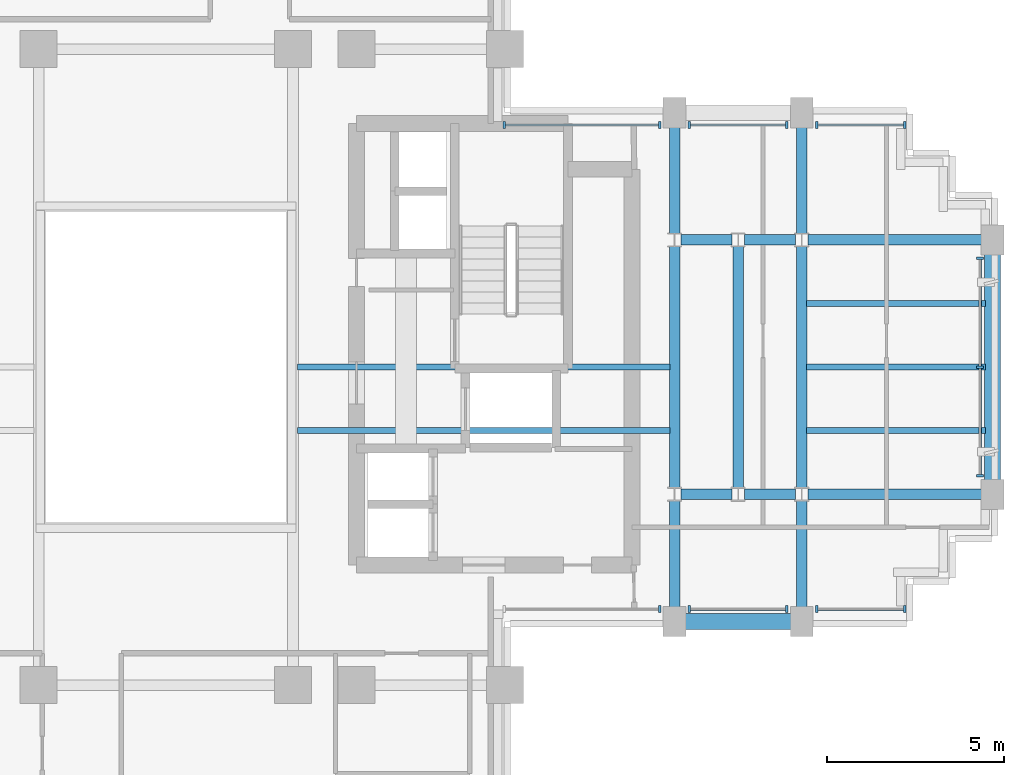
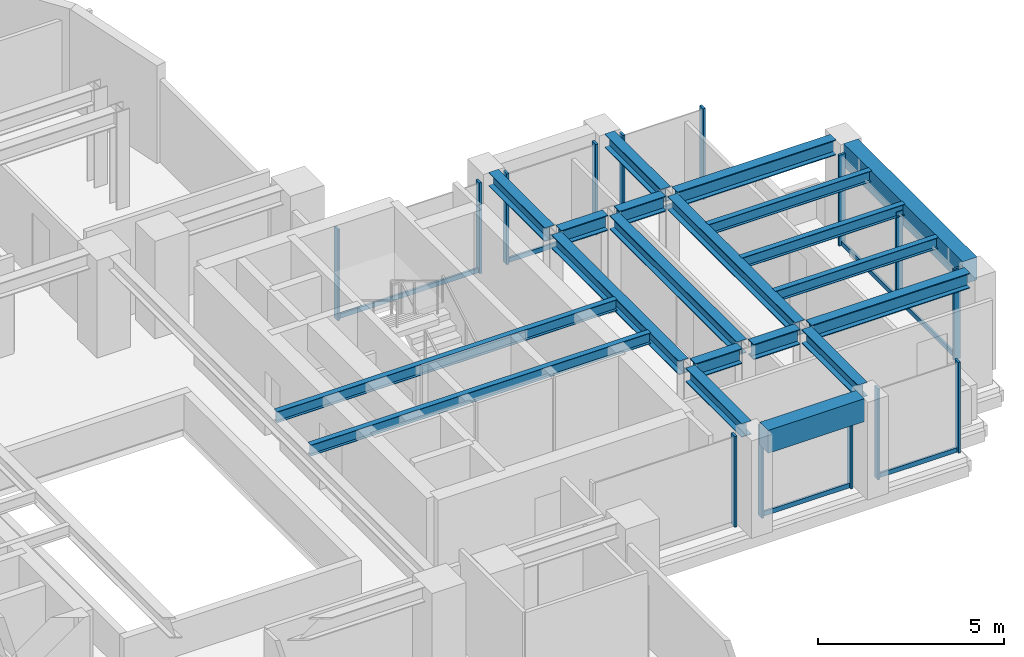
# One storey, part 5 of 14: 21 members, 20 beams, 7 elements without a shape of their own.
"""IFC4 building model written with IfcOpenShell, lengths in metres."""

from ifc_helpers import new_model, si_unit, direction, frame, origin, origin_2d, place, context, subcontext, project, spatial, rectangle, i_section, extrude, source, transform, mapped, material, material_profile, profile_set, type_object, element, aggregate, save


model = new_model("IFC4")

# Units and contexts
model_context = context("Model", 3, precision=1e-05, world=origin(), true_north=direction((0.0, 1.0)))
body_context = subcontext(model_context, "Body", "Model", "MODEL_VIEW")
ifc_project = project(units=[si_unit("LENGTHUNIT", "METRE"), si_unit("AREAUNIT", "SQUARE_METRE"), si_unit("VOLUMEUNIT", "CUBIC_METRE"), si_unit("PLANEANGLEUNIT", "RADIAN"), si_unit("MASSUNIT", "GRAM", prefix="KILO")], contexts=[model_context])

# Site, building, storey
site_placement = place(None, origin())
site = spatial("IfcSite", under=ifc_project, at=site_placement, CompositionType="ELEMENT")
building_placement = place(site_placement, origin())
building = spatial("IfcBuilding", under=site, at=building_placement, Name="Keilestroom Media Tower", CompositionType="ELEMENT")
storey_placement = place(building_placement, frame((0.0, 0.0, 134.60009765625)))
storey = spatial("IfcBuildingStorey", under=building, at=storey_placement, Name="L36", CompositionType="ELEMENT", Elevation=134.60009765625)

# Beams
ifc_material_1 = material(Name="Steel S355", Category="steel")
ifc_material_profile_1 = material_profile(ifc_material_1, i_section(OverallWidth=0.169921875, OverallDepth=0.360107421875, WebThickness=0.008056640625, FlangeThickness=0.0126953125, at=origin_2d()), Name="IPE 360")
ifc_profile_set_1 = profile_set([ifc_material_profile_1], Name="Steel S355")
beam_type_1 = type_object("IfcBeamType", Name="Secondary-Floor-Joist-IPE-360", PredefinedType="JOIST", material=ifc_profile_set_1)
shared_shape_1 = source(origin(), body_context, "Body", "SweptSolid", [
    extrude(i_section(OverallWidth=0.169921875, OverallDepth=0.360107421875, WebThickness=0.008056640625, FlangeThickness=0.0126953125, at=origin_2d()), origin(), (0.0, 0.0, 1.0), 10.5400390625),
])
for number, where, z_axis, x_axis, name in (
    (1, (3.72998046875, -1.800048828125, 3.02001953125), (1.0, 0.0, 0.0), (0.0, 1.0, 0.0), "L36 Beam BJ-5 JST-L36-074"),
    (2, (3.72998046875, 0.0, 3.02001953125), (1.0, 0.0, 0.0), (0.0, 1.0, 0.0), "L36 Beam BJ-5 JST-L36-079"),
):
    element("IfcBeam", number, at=place(storey_placement, frame(where, z_axis=z_axis, x_axis=x_axis)), inside=storey, type_object=beam_type_1, Name=name, PredefinedType="JOIST", context=body_context, shape_type="MappedRepresentation", body=[
        mapped(shared_shape_1, transform((0.0, 0.0, 0.0), x_axis=(1.0, 0.0, 0.0), y_axis=(0.0, 1.0, 0.0), z_axis=(0.0, 0.0, 1.0), scale=1.0)),
    ])
ifc_material_2 = material(Name="Precast concrete C40/50", Category="concrete")
ifc_material_profile_2 = material_profile(ifc_material_2, rectangle(XDim=0.449951171875, YDim=0.75, at=origin_2d()), Name="PC 450x750")
ifc_profile_set_2 = profile_set([ifc_material_profile_2], Name="Precast concrete C40/50")
beam_type_2 = type_object("IfcBeamType", Name="Perimeter-Spandrel-Beam-PC-450x750", PredefinedType="SPANDREL", material=ifc_profile_set_2)
shared_shape_2 = source(origin(), body_context, "Body", "SweptSolid", [
    extrude(rectangle(XDim=0.449951171875, YDim=0.75, at=origin_2d()), origin(), (0.0, 0.0, 1.0), 2.989990234375),
])
beam_1_placement = place(storey_placement, frame((14.705078125, -7.199951171875, 2.824951171875), z_axis=(1.0, 0.0, 0.0), x_axis=(0.0, 1.0, 0.0)))
element("IfcBeam", 3, at=beam_1_placement, inside=storey, type_object=beam_type_2, Name="L36 Beam SPB-1 BM-L36-EW-013", PredefinedType="SPANDREL", context=body_context, shape_type="MappedRepresentation", body=[
    mapped(shared_shape_2, transform((0.0, 0.0, 0.0), x_axis=(1.0, 0.0, 0.0), y_axis=(0.0, 1.0, 0.0), z_axis=(0.0, 0.0, 1.0), scale=1.0)),
])
ifc_material_profile_3 = material_profile(ifc_material_1, i_section(OverallWidth=0.300048828125, OverallDepth=0.5, WebThickness=0.012451171875, FlangeThickness=0.028076171875, at=origin_2d()), Name="HEB 500")
ifc_profile_set_3 = profile_set([ifc_material_profile_3], Name="Steel S355")
beam_type_3 = type_object("IfcBeamType", Name="Primary-Structural-Girder-HEB-500", PredefinedType="BEAM", material=ifc_profile_set_3)
shared_shape_3 = source(origin(), body_context, "Body", "SweptSolid", [
    extrude(i_section(OverallWidth=0.300048828125, OverallDepth=0.5, WebThickness=0.012451171875, FlangeThickness=0.028076171875, at=origin_2d()), origin(), (0.0, 0.0, 1.0), 4.91455078125),
])
for number, where, z_axis, x_axis, name in (
    (4, (18.180419921875, -3.60009765625, 2.949951171875), (1.0, 0.0, 0.0), (0.0, 1.0, 0.0), "L36 Beam BG-6 BM-L36-EW-019"),
    (5, (18.180419921875, 3.60009765625, 2.949951171875), (1.0, 0.0, 0.0), (0.0, 1.0, 0.0), "L36 Beam BG-6 BM-L36-EW-025"),
):
    element("IfcBeam", number, at=place(storey_placement, frame(where, z_axis=z_axis, x_axis=x_axis)), inside=storey, type_object=beam_type_3, Name=name, PredefinedType="BEAM", context=body_context, shape_type="MappedRepresentation", body=[
        mapped(shared_shape_3, transform((0.0, 0.0, 0.0), x_axis=(1.0, 0.0, 0.0), y_axis=(0.0, 1.0, 0.0), z_axis=(0.0, 0.0, 1.0), scale=1.0)),
    ])
shared_shape_4 = source(origin(), body_context, "Body", "SweptSolid", [
    extrude(i_section(OverallWidth=0.300048828125, OverallDepth=0.5, WebThickness=0.012451171875, FlangeThickness=0.028076171875, at=origin_2d()), origin(), (0.0, 0.0, 1.0), 1.43896484375),
])
for number, where, z_axis, x_axis, name in (
    (6, (14.58056640625, -3.60009765625, 2.949951171875), (1.0, 0.0, 0.0), (0.0, 1.0, 0.0), "L36 Beam BG-6 BM-L36-EW-017"),
    (7, (16.380615234375, -3.60009765625, 2.949951171875), (1.0, 0.0, 0.0), (0.0, 1.0, 0.0), "L36 Beam BG-6 BM-L36-EW-018"),
    (8, (14.58056640625, 3.60009765625, 2.949951171875), (1.0, 0.0, 0.0), (0.0, 1.0, 0.0), "L36 Beam BG-6 BM-L36-EW-023"),
    (9, (16.380615234375, 3.60009765625, 2.949951171875), (1.0, 0.0, 0.0), (0.0, 1.0, 0.0), "L36 Beam BG-6 BM-L36-EW-024"),
):
    element("IfcBeam", number, at=place(storey_placement, frame(where, z_axis=z_axis, x_axis=x_axis)), inside=storey, type_object=beam_type_3, Name=name, PredefinedType="BEAM", context=body_context, shape_type="MappedRepresentation", body=[
        mapped(shared_shape_4, transform((0.0, 0.0, 0.0), x_axis=(1.0, 0.0, 0.0), y_axis=(0.0, 1.0, 0.0), z_axis=(0.0, 0.0, 1.0), scale=1.0)),
    ])
shared_shape_5 = source(origin(), body_context, "Body", "SweptSolid", [
    extrude(rectangle(XDim=0.449951171875, YDim=0.75, at=origin_2d()), origin(), (0.0, 0.0, 1.0), 6.39013671875),
])
beam_2_placement = place(storey_placement, frame((23.39990234375, -3.195068359375, 2.824951171875), z_axis=(0.0, 1.0, 0.0), x_axis=(-1.0, 0.0, 0.0)))
element("IfcBeam", 10, at=beam_2_placement, inside=storey, type_object=beam_type_2, Name="L36 Beam SPB-1 BM-L36-NS-068", PredefinedType="SPANDREL", context=body_context, shape_type="MappedRepresentation", body=[
    mapped(shared_shape_5, transform((0.0, 0.0, 0.0), x_axis=(1.0, 0.0, 0.0), y_axis=(0.0, 1.0, 0.0), z_axis=(0.0, 0.0, 1.0), scale=1.0)),
])
ifc_material_profile_4 = material_profile(ifc_material_1, i_section(OverallWidth=0.300048828125, OverallDepth=0.449951171875, WebThickness=0.011962890625, FlangeThickness=0.02587890625, at=origin_2d()), Name="HEB 450")
ifc_profile_set_4 = profile_set([ifc_material_profile_4], Name="Steel S355")
beam_type_4 = type_object("IfcBeamType", Name="Primary-Structural-Girder-HEB-450", PredefinedType="BEAM", material=ifc_profile_set_4)
shared_shape_6 = source(origin(), body_context, "Body", "SweptSolid", [
    extrude(i_section(OverallWidth=0.300048828125, OverallDepth=0.449951171875, WebThickness=0.011962890625, FlangeThickness=0.02587890625, at=origin_2d()), origin(), (0.0, 0.0, 1.0), 3.015380859375),
])
for number, where, z_axis, x_axis, name in (
    (11, (14.39990234375, -6.794921875, 2.974853515625), (0.0, 1.0, 0.0), (-1.0, 0.0, 0.0), "L36 Beam BG-7 BM-L36-NS-061"),
    (12, (14.39990234375, 3.779541015625, 2.974853515625), (0.0, 1.0, 0.0), (-1.0, 0.0, 0.0), "L36 Beam BG-7 BM-L36-NS-063"),
    (13, (18.0, -6.794921875, 2.974853515625), (0.0, 1.0, 0.0), (-1.0, 0.0, 0.0), "L36 Beam BG-7 BM-L36-NS-065"),
    (14, (18.0, 3.779541015625, 2.974853515625), (0.0, 1.0, 0.0), (-1.0, 0.0, 0.0), "L36 Beam BG-7 BM-L36-NS-067"),
):
    element("IfcBeam", number, at=place(storey_placement, frame(where, z_axis=z_axis, x_axis=x_axis)), inside=storey, type_object=beam_type_4, Name=name, PredefinedType="BEAM", context=body_context, shape_type="MappedRepresentation", body=[
        mapped(shared_shape_6, transform((0.0, 0.0, 0.0), x_axis=(1.0, 0.0, 0.0), y_axis=(0.0, 1.0, 0.0), z_axis=(0.0, 0.0, 1.0), scale=1.0)),
    ])
shared_shape_7 = source(origin(), body_context, "Body", "SweptSolid", [
    extrude(i_section(OverallWidth=0.300048828125, OverallDepth=0.449951171875, WebThickness=0.011962890625, FlangeThickness=0.02587890625, at=origin_2d()), origin(), (0.0, 0.0, 1.0), 6.8408203125),
])
for number, where, z_axis, x_axis, name in (
    (15, (14.39990234375, -3.42041015625, 2.974853515625), (0.0, 1.0, 0.0), (-1.0, 0.0, 0.0), "L36 Beam BG-7 BM-L36-NS-062"),
    (16, (16.199951171875, -3.42041015625, 2.974853515625), (0.0, 1.0, 0.0), (-1.0, 0.0, 0.0), "L36 Beam BG-7 BM-L36-NS-064"),
    (17, (18.0, -3.42041015625, 2.974853515625), (0.0, 1.0, 0.0), (-1.0, 0.0, 0.0), "L36 Beam BG-7 BM-L36-NS-066"),
):
    element("IfcBeam", number, at=place(storey_placement, frame(where, z_axis=z_axis, x_axis=x_axis)), inside=storey, type_object=beam_type_4, Name=name, PredefinedType="BEAM", context=body_context, shape_type="MappedRepresentation", body=[
        mapped(shared_shape_7, transform((0.0, 0.0, 0.0), x_axis=(1.0, 0.0, 0.0), y_axis=(0.0, 1.0, 0.0), z_axis=(0.0, 0.0, 1.0), scale=1.0)),
    ])
shared_shape_8 = source(origin(), body_context, "Body", "SweptSolid", [
    extrude(i_section(OverallWidth=0.169921875, OverallDepth=0.360107421875, WebThickness=0.008056640625, FlangeThickness=0.0126953125, at=origin_2d()), origin(), (0.0, 0.0, 1.0), 5.065185546875),
])
for number, where, z_axis, x_axis, name in (
    (18, (18.1298828125, -1.800048828125, 3.02001953125), (1.0, 0.0, 0.0), (0.0, 1.0, 0.0), "L36 Beam BJ-5 JST-L36-075"),
    (19, (18.1298828125, 0.0, 3.02001953125), (1.0, 0.0, 0.0), (0.0, 1.0, 0.0), "L36 Beam BJ-5 JST-L36-080"),
    (20, (18.1298828125, 1.800048828125, 3.02001953125), (1.0, 0.0, 0.0), (0.0, 1.0, 0.0), "L36 Beam BJ-5 JST-L36-085"),
):
    element("IfcBeam", number, at=place(storey_placement, frame(where, z_axis=z_axis, x_axis=x_axis)), inside=storey, type_object=beam_type_1, Name=name, PredefinedType="JOIST", context=body_context, shape_type="MappedRepresentation", body=[
        mapped(shared_shape_8, transform((0.0, 0.0, 0.0), x_axis=(1.0, 0.0, 0.0), y_axis=(0.0, 1.0, 0.0), z_axis=(0.0, 0.0, 1.0), scale=1.0)),
    ])

# Curtain wall, members
ifc_material_3 = material(Name="Anodised Aluminium Alloy", Category="aluminium")
curtain_wall_type = type_object("IfcCurtainWallType", Name="Unitised-Curtain-Wall-CW-2", PredefinedType="NOTDEFINED", material=ifc_material_3)
curtain_wall_1_placement = place(storey_placement, origin())
curtain_wall_1 = element("IfcCurtainWall", 21, at=curtain_wall_1_placement, inside=storey, type_object=curtain_wall_type, Name="L36 Curtain Wall CW-2 CW-L36-E-1", PredefinedType="NOTDEFINED")
ifc_material_profile_5 = material_profile(ifc_material_3, rectangle(XDim=0.070068359375, YDim=0.199951171875, at=origin_2d()), Name="ALU MULLION 70x200")
ifc_profile_set_5 = profile_set([ifc_material_profile_5], Name="Anodised Aluminium Alloy")
member_type_1 = type_object("IfcMemberType", Name="Curtain-Wall-Mullion-CW-2", PredefinedType="MULLION", material=ifc_profile_set_5)
shared_shape_9 = source(origin(), body_context, "Body", "SweptSolid", [
    extrude(rectangle(XDim=0.070068359375, YDim=0.199951171875, at=origin_2d()), origin(), (0.0, 0.0, 1.0), 2.97998046875),
])
member_1_placement = place(storey_placement, frame((23.050048828125, -3.080078125, 0.0), z_axis=(0.0, 0.0, 1.0), x_axis=(0.0, 1.0, 0.0)))
member_1 = element("IfcMember", 22, at=member_1_placement, type_object=member_type_1, Name="CW-2 Mullion 00", PredefinedType="MULLION", context=body_context, shape_type="MappedRepresentation", body=[
    mapped(shared_shape_9, transform((0.0, 0.0, 0.0), x_axis=(1.0, 0.0, 0.0), y_axis=(0.0, 1.0, 0.0), z_axis=(0.0, 0.0, 1.0), scale=1.0)),
])
member_2_placement = place(storey_placement, frame((23.050048828125, 0.0, 0.0), z_axis=(0.0, 0.0, 1.0), x_axis=(0.0, 1.0, 0.0)))
member_2 = element("IfcMember", 23, at=member_2_placement, type_object=member_type_1, Name="CW-2 Mullion 01", PredefinedType="MULLION", context=body_context, shape_type="MappedRepresentation", body=[
    mapped(shared_shape_9, transform((0.0, 0.0, 0.0), x_axis=(1.0, 0.0, 0.0), y_axis=(0.0, 1.0, 0.0), z_axis=(0.0, 0.0, 1.0), scale=1.0)),
])
member_3_placement = place(storey_placement, frame((23.050048828125, 3.080078125, 0.0), z_axis=(0.0, 0.0, 1.0), x_axis=(0.0, 1.0, 0.0)))
member_3 = element("IfcMember", 24, at=member_3_placement, type_object=member_type_1, Name="CW-2 Mullion 02", PredefinedType="MULLION", context=body_context, shape_type="MappedRepresentation", body=[
    mapped(shared_shape_9, transform((0.0, 0.0, 0.0), x_axis=(1.0, 0.0, 0.0), y_axis=(0.0, 1.0, 0.0), z_axis=(0.0, 0.0, 1.0), scale=1.0)),
])

curtain_wall_2_placement = place(storey_placement, origin())
curtain_wall_2 = element("IfcCurtainWall", 25, at=curtain_wall_2_placement, inside=storey, type_object=curtain_wall_type, Name="L36 Curtain Wall CW-2 CW-L36-NE-1", PredefinedType="NOTDEFINED")
member_4_placement = place(storey_placement, frame((9.5849609375, 6.85009765625, 0.0), z_axis=(0.0, 0.0, 1.0), x_axis=(1.0, 0.0, 0.0)))
member_4 = element("IfcMember", 26, at=member_4_placement, type_object=member_type_1, Name="CW-2 Mullion 00", PredefinedType="MULLION", context=body_context, shape_type="MappedRepresentation", body=[
    mapped(shared_shape_9, transform((0.0, 0.0, 0.0), x_axis=(1.0, 0.0, 0.0), y_axis=(0.0, 1.0, 0.0), z_axis=(0.0, 0.0, 1.0), scale=1.0)),
])
member_5_placement = place(storey_placement, frame((13.97998046875, 6.85009765625, 0.0), z_axis=(0.0, 0.0, 1.0), x_axis=(1.0, 0.0, 0.0)))
member_5 = element("IfcMember", 27, at=member_5_placement, type_object=member_type_1, Name="CW-2 Mullion 01", PredefinedType="MULLION", context=body_context, shape_type="MappedRepresentation", body=[
    mapped(shared_shape_9, transform((0.0, 0.0, 0.0), x_axis=(1.0, 0.0, 0.0), y_axis=(0.0, 1.0, 0.0), z_axis=(0.0, 0.0, 1.0), scale=1.0)),
])

curtain_wall_3_placement = place(storey_placement, origin())
curtain_wall_3 = element("IfcCurtainWall", 28, at=curtain_wall_3_placement, inside=storey, type_object=curtain_wall_type, Name="L36 Curtain Wall CW-2 CW-L36-NE-2", PredefinedType="NOTDEFINED")
member_6_placement = place(storey_placement, frame((14.820068359375, 6.85009765625, 0.0), z_axis=(0.0, 0.0, 1.0), x_axis=(1.0, 0.0, 0.0)))
member_6 = element("IfcMember", 29, at=member_6_placement, type_object=member_type_1, Name="CW-2 Mullion 00", PredefinedType="MULLION", context=body_context, shape_type="MappedRepresentation", body=[
    mapped(shared_shape_9, transform((0.0, 0.0, 0.0), x_axis=(1.0, 0.0, 0.0), y_axis=(0.0, 1.0, 0.0), z_axis=(0.0, 0.0, 1.0), scale=1.0)),
])
member_7_placement = place(storey_placement, frame((17.580078125, 6.85009765625, 0.0), z_axis=(0.0, 0.0, 1.0), x_axis=(1.0, 0.0, 0.0)))
member_7 = element("IfcMember", 30, at=member_7_placement, type_object=member_type_1, Name="CW-2 Mullion 01", PredefinedType="MULLION", context=body_context, shape_type="MappedRepresentation", body=[
    mapped(shared_shape_9, transform((0.0, 0.0, 0.0), x_axis=(1.0, 0.0, 0.0), y_axis=(0.0, 1.0, 0.0), z_axis=(0.0, 0.0, 1.0), scale=1.0)),
])

curtain_wall_4_placement = place(storey_placement, origin())
curtain_wall_4 = element("IfcCurtainWall", 31, at=curtain_wall_4_placement, inside=storey, type_object=curtain_wall_type, Name="L36 Curtain Wall CW-2 CW-L36-NE-3", PredefinedType="NOTDEFINED")
member_8_placement = place(storey_placement, frame((18.419921875, 6.85009765625, 0.0), z_axis=(0.0, 0.0, 1.0), x_axis=(1.0, 0.0, 0.0)))
member_8 = element("IfcMember", 32, at=member_8_placement, type_object=member_type_1, Name="CW-2 Mullion 00", PredefinedType="MULLION", context=body_context, shape_type="MappedRepresentation", body=[
    mapped(shared_shape_9, transform((0.0, 0.0, 0.0), x_axis=(1.0, 0.0, 0.0), y_axis=(0.0, 1.0, 0.0), z_axis=(0.0, 0.0, 1.0), scale=1.0)),
])
member_9_placement = place(storey_placement, frame((20.9150390625, 6.85009765625, 0.0), z_axis=(0.0, 0.0, 1.0), x_axis=(1.0, 0.0, 0.0)))
member_9 = element("IfcMember", 33, at=member_9_placement, type_object=member_type_1, Name="CW-2 Mullion 01", PredefinedType="MULLION", context=body_context, shape_type="MappedRepresentation", body=[
    mapped(shared_shape_9, transform((0.0, 0.0, 0.0), x_axis=(1.0, 0.0, 0.0), y_axis=(0.0, 1.0, 0.0), z_axis=(0.0, 0.0, 1.0), scale=1.0)),
])

# Curtain wall, member
curtain_wall_5_placement = place(storey_placement, origin())
curtain_wall_5 = element("IfcCurtainWall", 34, at=curtain_wall_5_placement, inside=storey, type_object=curtain_wall_type, Name="L36 Curtain Wall CW-2 CW-L36-SE-1", PredefinedType="NOTDEFINED")
member_10_placement = place(storey_placement, frame((13.97998046875, -6.85009765625, 0.0), z_axis=(0.0, 0.0, 1.0), x_axis=(1.0, 0.0, 0.0)))
member_10 = element("IfcMember", 35, at=member_10_placement, type_object=member_type_1, Name="CW-2 Mullion 01", PredefinedType="MULLION", context=body_context, shape_type="MappedRepresentation", body=[
    mapped(shared_shape_9, transform((0.0, 0.0, 0.0), x_axis=(1.0, 0.0, 0.0), y_axis=(0.0, 1.0, 0.0), z_axis=(0.0, 0.0, 1.0), scale=1.0)),
])
aggregate(curtain_wall_5, [member_10])

# Curtain wall, members
curtain_wall_6_placement = place(storey_placement, origin())
curtain_wall_6 = element("IfcCurtainWall", 36, at=curtain_wall_6_placement, inside=storey, type_object=curtain_wall_type, Name="L36 Curtain Wall CW-2 CW-L36-SE-2", PredefinedType="NOTDEFINED")
member_11_placement = place(storey_placement, frame((14.820068359375, -6.85009765625, 0.0), z_axis=(0.0, 0.0, 1.0), x_axis=(1.0, 0.0, 0.0)))
member_11 = element("IfcMember", 37, at=member_11_placement, type_object=member_type_1, Name="CW-2 Mullion 00", PredefinedType="MULLION", context=body_context, shape_type="MappedRepresentation", body=[
    mapped(shared_shape_9, transform((0.0, 0.0, 0.0), x_axis=(1.0, 0.0, 0.0), y_axis=(0.0, 1.0, 0.0), z_axis=(0.0, 0.0, 1.0), scale=1.0)),
])
member_12_placement = place(storey_placement, frame((17.580078125, -6.85009765625, 0.0), z_axis=(0.0, 0.0, 1.0), x_axis=(1.0, 0.0, 0.0)))
member_12 = element("IfcMember", 38, at=member_12_placement, type_object=member_type_1, Name="CW-2 Mullion 01", PredefinedType="MULLION", context=body_context, shape_type="MappedRepresentation", body=[
    mapped(shared_shape_9, transform((0.0, 0.0, 0.0), x_axis=(1.0, 0.0, 0.0), y_axis=(0.0, 1.0, 0.0), z_axis=(0.0, 0.0, 1.0), scale=1.0)),
])

curtain_wall_7_placement = place(storey_placement, origin())
curtain_wall_7 = element("IfcCurtainWall", 39, at=curtain_wall_7_placement, inside=storey, type_object=curtain_wall_type, Name="L36 Curtain Wall CW-2 CW-L36-SE-3", PredefinedType="NOTDEFINED")
member_13_placement = place(storey_placement, frame((18.419921875, -6.85009765625, 0.0), z_axis=(0.0, 0.0, 1.0), x_axis=(1.0, 0.0, 0.0)))
member_13 = element("IfcMember", 40, at=member_13_placement, type_object=member_type_1, Name="CW-2 Mullion 00", PredefinedType="MULLION", context=body_context, shape_type="MappedRepresentation", body=[
    mapped(shared_shape_9, transform((0.0, 0.0, 0.0), x_axis=(1.0, 0.0, 0.0), y_axis=(0.0, 1.0, 0.0), z_axis=(0.0, 0.0, 1.0), scale=1.0)),
])
member_14_placement = place(storey_placement, frame((20.9150390625, -6.85009765625, 0.0), z_axis=(0.0, 0.0, 1.0), x_axis=(1.0, 0.0, 0.0)))
member_14 = element("IfcMember", 41, at=member_14_placement, type_object=member_type_1, Name="CW-2 Mullion 01", PredefinedType="MULLION", context=body_context, shape_type="MappedRepresentation", body=[
    mapped(shared_shape_9, transform((0.0, 0.0, 0.0), x_axis=(1.0, 0.0, 0.0), y_axis=(0.0, 1.0, 0.0), z_axis=(0.0, 0.0, 1.0), scale=1.0)),
])

# Member
ifc_material_profile_6 = material_profile(ifc_material_3, rectangle(XDim=0.06494140625, YDim=0.14990234375, at=origin_2d()), Name="ALU TRANSOM 65x150")
ifc_profile_set_6 = profile_set([ifc_material_profile_6], Name="Anodised Aluminium Alloy")
member_type_2 = type_object("IfcMemberType", Name="Curtain-Wall-Transom-CW-2", PredefinedType="USERDEFINED", material=ifc_profile_set_6)
shared_shape_10 = source(origin(), body_context, "Body", "SweptSolid", [
    extrude(rectangle(XDim=0.06494140625, YDim=0.14990234375, at=origin_2d()), origin(), (0.0, 0.0, 1.0), 2.42919921875),
])
member_15_placement = place(storey_placement, frame((18.452880859375, 6.85009765625, 0.074951171875), z_axis=(1.0, 0.0, 0.0), x_axis=(0.0, 1.0, 0.0)))
member_15 = element("IfcMember", 42, at=member_15_placement, type_object=member_type_2, Name="CW-2 Transom 00.1", ObjectType="TRANSOM", PredefinedType="USERDEFINED", context=body_context, shape_type="MappedRepresentation", body=[
    mapped(shared_shape_10, transform((0.0, 0.0, 0.0), x_axis=(1.0, 0.0, 0.0), y_axis=(0.0, 1.0, 0.0), z_axis=(0.0, 0.0, 1.0), scale=1.0)),
])

aggregate(curtain_wall_4, [member_8, member_9, member_15])

member_16_placement = place(storey_placement, frame((18.452880859375, -6.85009765625, 0.074951171875), z_axis=(1.0, 0.0, 0.0), x_axis=(0.0, 1.0, 0.0)))
member_16 = element("IfcMember", 43, at=member_16_placement, type_object=member_type_2, Name="CW-2 Transom 00.1", ObjectType="TRANSOM", PredefinedType="USERDEFINED", context=body_context, shape_type="MappedRepresentation", body=[
    mapped(shared_shape_10, transform((0.0, 0.0, 0.0), x_axis=(1.0, 0.0, 0.0), y_axis=(0.0, 1.0, 0.0), z_axis=(0.0, 0.0, 1.0), scale=1.0)),
])

aggregate(curtain_wall_7, [member_13, member_14, member_16])

shared_shape_11 = source(origin(), body_context, "Body", "SweptSolid", [
    extrude(rectangle(XDim=0.06494140625, YDim=0.14990234375, at=origin_2d()), origin(), (0.0, 0.0, 1.0), 2.694091796875),
])
member_17_placement = place(storey_placement, frame((14.85302734375, 6.85009765625, 0.074951171875), z_axis=(1.0, 0.0, 0.0), x_axis=(0.0, 1.0, 0.0)))
member_17 = element("IfcMember", 44, at=member_17_placement, type_object=member_type_2, Name="CW-2 Transom 00.1", ObjectType="TRANSOM", PredefinedType="USERDEFINED", context=body_context, shape_type="MappedRepresentation", body=[
    mapped(shared_shape_11, transform((0.0, 0.0, 0.0), x_axis=(1.0, 0.0, 0.0), y_axis=(0.0, 1.0, 0.0), z_axis=(0.0, 0.0, 1.0), scale=1.0)),
])

aggregate(curtain_wall_3, [member_6, member_7, member_17])

member_18_placement = place(storey_placement, frame((14.85302734375, -6.85009765625, 0.074951171875), z_axis=(1.0, 0.0, 0.0), x_axis=(0.0, 1.0, 0.0)))
member_18 = element("IfcMember", 45, at=member_18_placement, type_object=member_type_2, Name="CW-2 Transom 00.1", ObjectType="TRANSOM", PredefinedType="USERDEFINED", context=body_context, shape_type="MappedRepresentation", body=[
    mapped(shared_shape_11, transform((0.0, 0.0, 0.0), x_axis=(1.0, 0.0, 0.0), y_axis=(0.0, 1.0, 0.0), z_axis=(0.0, 0.0, 1.0), scale=1.0)),
])

aggregate(curtain_wall_6, [member_11, member_12, member_18])

shared_shape_12 = source(origin(), body_context, "Body", "SweptSolid", [
    extrude(rectangle(XDim=0.06494140625, YDim=0.14990234375, at=origin_2d()), origin(), (0.0, 0.0, 1.0), 4.3291015625),
])
member_19_placement = place(storey_placement, frame((9.617919921875, 6.85009765625, 0.074951171875), z_axis=(1.0, 0.0, 0.0), x_axis=(0.0, 1.0, 0.0)))
member_19 = element("IfcMember", 46, at=member_19_placement, type_object=member_type_2, Name="CW-2 Transom 00.1", ObjectType="TRANSOM", PredefinedType="USERDEFINED", context=body_context, shape_type="MappedRepresentation", body=[
    mapped(shared_shape_12, transform((0.0, 0.0, 0.0), x_axis=(1.0, 0.0, 0.0), y_axis=(0.0, 1.0, 0.0), z_axis=(0.0, 0.0, 1.0), scale=1.0)),
])

aggregate(curtain_wall_2, [member_4, member_5, member_19])

shared_shape_13 = source(origin(), body_context, "Body", "SweptSolid", [
    extrude(rectangle(XDim=0.06494140625, YDim=0.14990234375, at=origin_2d()), origin(), (0.0, 0.0, 1.0), 3.01416015625),
])
member_20_placement = place(storey_placement, frame((23.050048828125, -3.047119140625, 0.074951171875), z_axis=(0.0, 1.0, 0.0), x_axis=(-1.0, 0.0, 0.0)))
member_20 = element("IfcMember", 47, at=member_20_placement, type_object=member_type_2, Name="CW-2 Transom 00.1", ObjectType="TRANSOM", PredefinedType="USERDEFINED", context=body_context, shape_type="MappedRepresentation", body=[
    mapped(shared_shape_13, transform((0.0, 0.0, 0.0), x_axis=(1.0, 0.0, 0.0), y_axis=(0.0, 1.0, 0.0), z_axis=(0.0, 0.0, 1.0), scale=1.0)),
])

member_21_placement = place(storey_placement, frame((23.050048828125, 0.032958984375, 0.074951171875), z_axis=(0.0, 1.0, 0.0), x_axis=(-1.0, 0.0, 0.0)))
member_21 = element("IfcMember", 48, at=member_21_placement, type_object=member_type_2, Name="CW-2 Transom 01.1", ObjectType="TRANSOM", PredefinedType="USERDEFINED", context=body_context, shape_type="MappedRepresentation", body=[
    mapped(shared_shape_13, transform((0.0, 0.0, 0.0), x_axis=(1.0, 0.0, 0.0), y_axis=(0.0, 1.0, 0.0), z_axis=(0.0, 0.0, 1.0), scale=1.0)),
])

aggregate(curtain_wall_1, [member_1, member_2, member_3, member_20, member_21])

save(model, "model.ifc")
